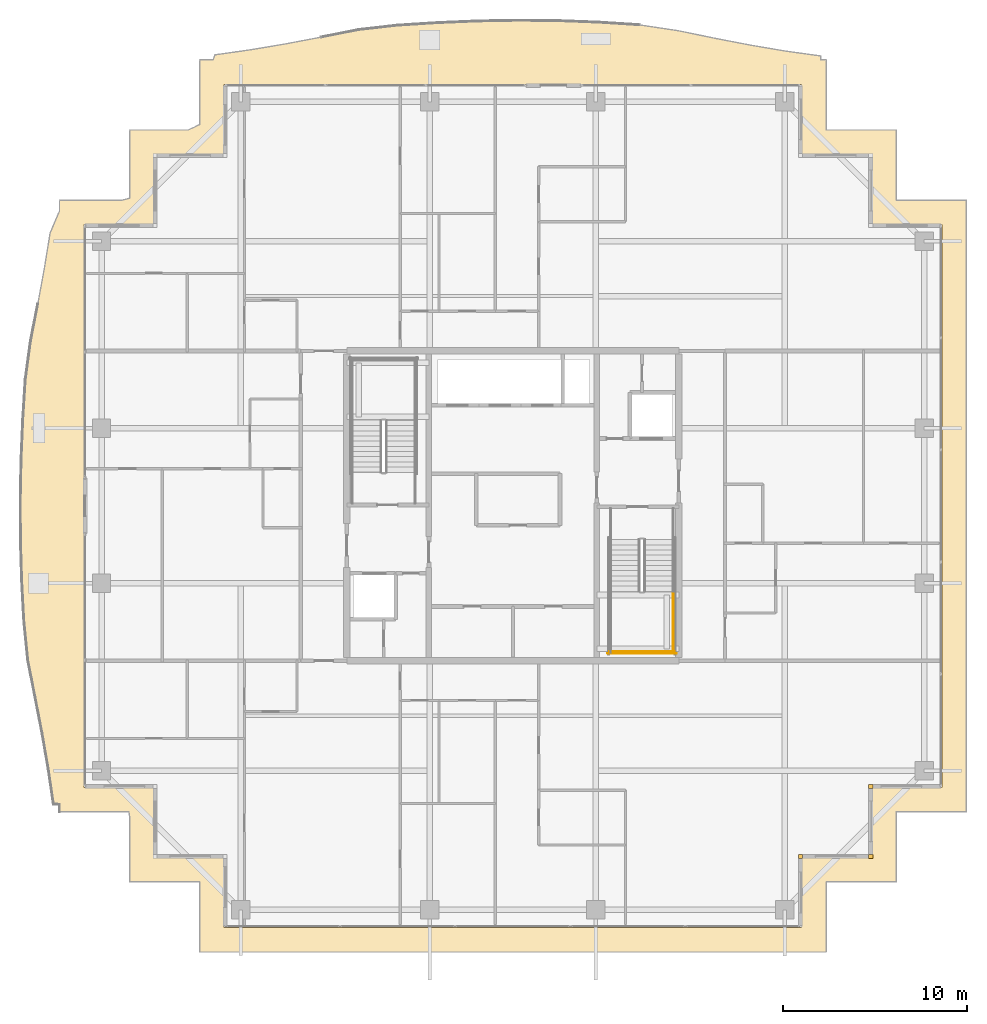
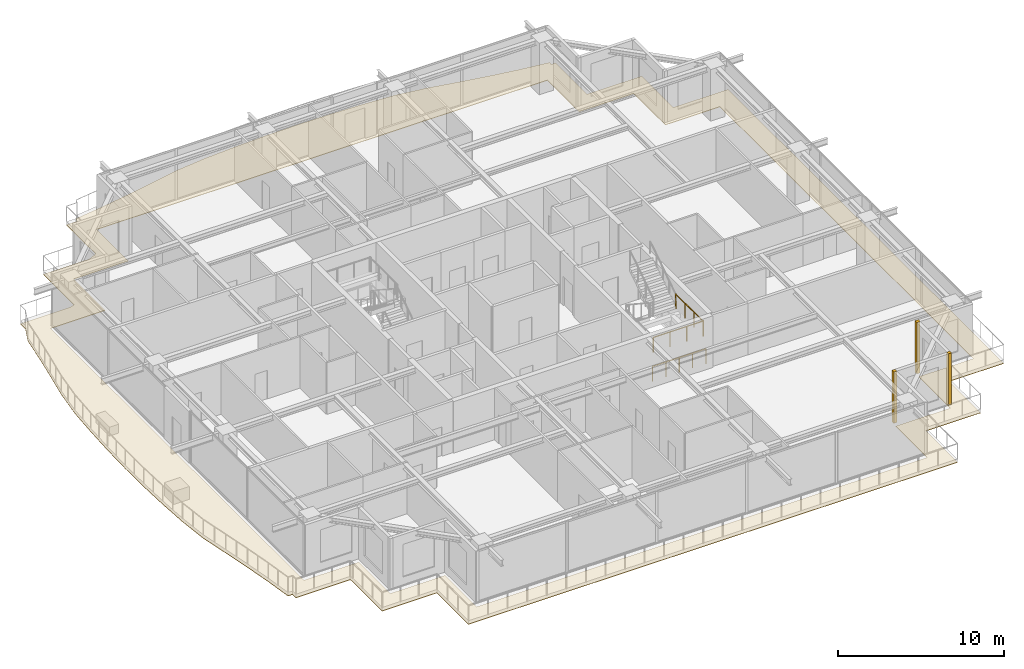
# One storey, part 35 of 37: 4 coverings, 3 railings.
"""IFC4 building model written with IfcOpenShell, lengths in metres."""

from ifc_helpers import new_model, si_unit, direction, frame, origin, origin_2d, place, context, subcontext, project, spatial, polyline, rectangle, circle, outline, extrude, source, transform, mapped, material, layer, layer_set, type_object, element, save


model = new_model("IFC4")

# Units and contexts
model_context = context("Model", 3, precision=1e-05, world=origin(), true_north=direction((0.0, 1.0)))
body_context = subcontext(model_context, "Body", "Model", "MODEL_VIEW")
ifc_project = project(units=[si_unit("LENGTHUNIT", "METRE"), si_unit("AREAUNIT", "SQUARE_METRE"), si_unit("VOLUMEUNIT", "CUBIC_METRE"), si_unit("PLANEANGLEUNIT", "RADIAN"), si_unit("MASSUNIT", "GRAM", prefix="KILO")], contexts=[model_context])

# Site, building, storey
site_placement = place(None, origin())
site = spatial("IfcSite", under=ifc_project, at=site_placement, CompositionType="ELEMENT")
building_placement = place(site_placement, origin())
building = spatial("IfcBuilding", under=site, at=building_placement, Name="Serunith Strait Residences", CompositionType="ELEMENT")
storey_placement = place(building_placement, frame((0.0, 0.0, 317.75)))
storey = spatial("IfcBuildingStorey", under=building, at=storey_placement, Name="L79", CompositionType="ELEMENT", Elevation=317.75)

# Covering
ifc_material_1 = material(Name="Golden Teak Exterior Timber Boarding", Category="wood")
ifc_layer_1 = layer(ifc_material_1, 0.034912109375, Name="Golden Teak Exterior Timber Boarding")
ifc_layer_set_1 = layer_set([ifc_layer_1], Name="Golden Teak Exterior Timber Boarding")
covering_type_1 = type_object("IfcCoveringType", Name="COV-TEAK-SOFFIT", PredefinedType="CEILING", material=ifc_layer_set_1)
covering_placement = place(storey_placement, frame((0.0, 0.0, -0.324951171875)))
element("IfcCovering", 1, at=covering_placement, inside=storey, type_object=covering_type_1, Name="L79 Golden-Teak Balcony Soffit Lining", PredefinedType="CEILING", context=body_context, shape_type="SweptSolid", body=[
    extrude(outline(polyline([(7.820068359375, 8.6201171875), (7.820068359375, 9.011474609375), (7.50146484375, 9.0302734375), (7.222412109375, 10.92919921875), (6.888916015625, 12.84765625), (6.51123046875, 14.8037109375), (6.11328125, 16.8154296875), (5.89892578125, 18.9365234375), (5.782470703125, 21.10791015625), (5.71630859375, 23.30224609375), (5.704833984375, 25.5068359375), (5.747314453125, 27.708251953125), (5.839111328125, 29.89404296875), (5.973388671875, 32.053466796875), (6.255615234375, 34.14013671875), (6.643798828125, 36.13525390625), (7.00244140625, 38.081298828125), (7.31396484375, 39.995849609375), (7.820068359375, 41.1787109375), (7.820068359375, 41.780029296875), (11.232177734375, 41.780029296875), (11.6201171875, 41.877197265625), (11.6201171875, 45.580078125), (14.803466796875, 45.580078125), (15.419921875, 45.870849609375), (15.419921875, 49.3798828125), (16.151123046875, 49.3798828125), (16.241455078125, 49.65234375), (18.142822265625, 49.919677734375), (20.06201171875, 50.2421875), (22.015625, 50.61279296875), (24.022705078125, 51.011474609375), (26.134765625, 51.251220703125), (28.30322265625, 51.387939453125), (30.498291015625, 51.47998046875), (32.707763671875, 51.517578125), (34.91796875, 51.4951171875), (37.113525390625, 51.41162109375), (39.280517578125, 51.273193359375), (41.36328125, 50.960205078125), (43.35205078125, 50.551025390625), (45.28955078125, 50.17578125), (47.1962890625, 49.854248046875), (49.089111328125, 49.591552734375), (49.0869140625, 49.3798828125), (49.3798828125, 49.3798828125), (49.3798828125, 45.580078125), (53.179931640625, 45.580078125), (53.179931640625, 41.780029296875), (56.97998046875, 41.780029296875), (56.97998046875, 8.6201171875), (53.179931640625, 8.6201171875), (53.179931640625, 4.820068359375), (49.392578125, 4.820068359375), (49.3798828125, 4.815185546875), (49.3798828125, 1.02001953125), (15.419921875, 1.02001953125), (15.419921875, 4.820068359375), (11.6201171875, 4.820068359375), (11.6201171875, 8.3798828125), (11.582763671875, 8.6201171875), (7.820068359375, 8.6201171875)]), holes=[polyline([(48.054931640625, 2.344970703125), (48.054931640625, 6.14501953125), (51.85498046875, 6.14501953125), (51.85498046875, 9.945068359375), (55.655029296875, 9.945068359375), (55.655029296875, 40.455078125), (51.85498046875, 40.455078125), (51.85498046875, 44.2548828125), (48.054931640625, 44.2548828125), (48.054931640625, 48.054931640625), (16.7451171875, 48.054931640625), (16.7451171875, 44.2548828125), (12.945068359375, 44.2548828125), (12.945068359375, 40.455078125), (9.14501953125, 40.455078125), (9.14501953125, 9.945068359375), (12.945068359375, 9.945068359375), (12.945068359375, 6.14501953125), (16.7451171875, 6.14501953125), (16.7451171875, 2.344970703125), (48.054931640625, 2.344970703125)])]), origin(), (0.0, 0.0, 1.0), 0.034912109375),
])

# Railings
ifc_material_2 = material(Name="Brushed stainless steel 316L", Category="steel")
railing_type = type_object("IfcRailingType", Name="RLG-STAIR-GUARD", PredefinedType="BALUSTRADE", material=ifc_material_2)
railing_1_placement = place(storey_placement, frame((41.10009765625, 20.570068359375, 2.02490234375)))
element("IfcRailing", 2, at=railing_1_placement, inside=storey, type_object=railing_type, Name="L79 ST-2 stair guard 4", PredefinedType="BALUSTRADE", context=body_context, shape_type="SweptSolid", body=[
    extrude(circle(Radius=0.02392578125, at=origin_2d()), frame((0.0, -0.001953125, 1.076171875), z_axis=(0.0, -1.0, 0.0), x_axis=(1.0, 0.0, 0.0)), (0.0, 0.0, 1.0), 3.316162109375),
    extrude(circle(Radius=0.02099609375, at=origin_2d()), origin(), (0.0, 0.0, 1.0), 1.050048828125),
    extrude(circle(Radius=0.02099609375, at=origin_2d()), frame((0.0, -1.106689453125, 0.0)), (0.0, 0.0, 1.0), 1.050048828125),
    extrude(circle(Radius=0.02099609375, at=origin_2d()), frame((0.0, -2.21337890625, 0.0)), (0.0, 0.0, 1.0), 1.050048828125),
    extrude(circle(Radius=0.02099609375, at=origin_2d()), frame((0.0, -3.320068359375, 0.0)), (0.0, 0.0, 1.0), 1.050048828125),
])
railing_2_placement = place(storey_placement, frame((37.64990234375, 17.300048828125, 2.02490234375)))
element("IfcRailing", 3, at=railing_2_placement, inside=storey, type_object=railing_type, Name="L79 ST-2 stair guard 5", PredefinedType="BALUSTRADE", context=body_context, shape_type="SweptSolid", body=[
    extrude(circle(Radius=0.02392578125, at=origin_2d()), frame((0.001953125, 0.0, 1.076171875), z_axis=(1.0, 0.0, 0.0), x_axis=(0.0, 1.0, 0.0)), (0.0, 0.0, 1.0), 3.49609375),
    extrude(circle(Radius=0.02099609375, at=origin_2d()), origin(), (0.0, 0.0, 1.0), 1.050048828125),
    extrude(circle(Radius=0.02099609375, at=origin_2d()), frame((1.166748046875, 0.0, 0.0)), (0.0, 0.0, 1.0), 1.050048828125),
    extrude(circle(Radius=0.02099609375, at=origin_2d()), frame((2.333251953125, 0.0, 0.0)), (0.0, 0.0, 1.0), 1.050048828125),
    extrude(circle(Radius=0.02099609375, at=origin_2d()), frame((3.5, 0.0, 0.0)), (0.0, 0.0, 1.0), 1.050048828125),
])
railing_3_placement = place(storey_placement, frame((37.550048828125, 17.199951171875, 0.0)))
element("IfcRailing", 4, at=railing_3_placement, inside=storey, type_object=railing_type, Name="L79 ST-2 stair guard 12", PredefinedType="BALUSTRADE", context=body_context, shape_type="SweptSolid", body=[
    extrude(circle(Radius=0.02392578125, at=origin_2d()), frame((0.001953125, 0.0, 1.076171875), z_axis=(1.0, 0.0, 0.0), x_axis=(0.0, 1.0, 0.0)), (0.0, 0.0, 1.0), 3.696044921875),
    extrude(circle(Radius=0.02099609375, at=origin_2d()), origin(), (0.0, 0.0, 1.0), 1.050048828125),
    extrude(circle(Radius=0.02099609375, at=origin_2d()), frame((0.925048828125, 0.0, 0.0)), (0.0, 0.0, 1.0), 1.050048828125),
    extrude(circle(Radius=0.02099609375, at=origin_2d()), frame((1.85009765625, 0.0, 0.0)), (0.0, 0.0, 1.0), 1.050048828125),
    extrude(circle(Radius=0.02099609375, at=origin_2d()), frame((2.77490234375, 0.0, 0.0)), (0.0, 0.0, 1.0), 1.050048828125),
    extrude(circle(Radius=0.02099609375, at=origin_2d()), frame((3.699951171875, 0.0, 0.0)), (0.0, 0.0, 1.0), 1.050048828125),
])

# Coverings
ifc_material_3 = material(Name="Pale-Champagne Anodised Aluminium", Category="aluminium")
ifc_layer_2 = layer(ifc_material_3, 0.219970703125, Name="Pale-Champagne Anodised Aluminium")
ifc_layer_set_2 = layer_set([ifc_layer_2], Name="Pale-Champagne Anodised Aluminium")
covering_type_2 = type_object("IfcCoveringType", Name="COV-CORN-TRIM", PredefinedType="CLADDING", material=ifc_layer_set_2)
shared_shape = source(origin(), body_context, "Body", "SweptSolid", [
    extrude(rectangle(XDim=0.221923828125, YDim=0.221923828125, at=origin_2d()), origin(), (0.0, 0.0, 1.0), 3.77490234375),
])
for number, where, z_axis, x_axis, name in (
    (5, (48.0, 6.199951171875, 0.0), (0.0, 0.0, 1.0), (1.0, 0.0, 0.0), "L79 Girih Serrated Corner Trim Post 02"),
    (6, (51.800048828125, 6.199951171875, 0.0), (0.0, 0.0, 1.0), (1.0, 0.0, 0.0), "L79 Girih Serrated Corner Trim Post 03"),
    (7, (51.800048828125, 10.0, 0.0), (0.0, 0.0, 1.0), (1.0, 0.0, 0.0), "L79 Girih Serrated Corner Trim Post 04"),
):
    element("IfcCovering", number, at=place(storey_placement, frame(where, z_axis=z_axis, x_axis=x_axis)), inside=storey, type_object=covering_type_2, Name=name, PredefinedType="CLADDING", context=body_context, shape_type="MappedRepresentation", body=[
        mapped(shared_shape, transform((0.0, 0.0, 0.0), scale=1.0)),
    ])

save(model, "model.ifc")
